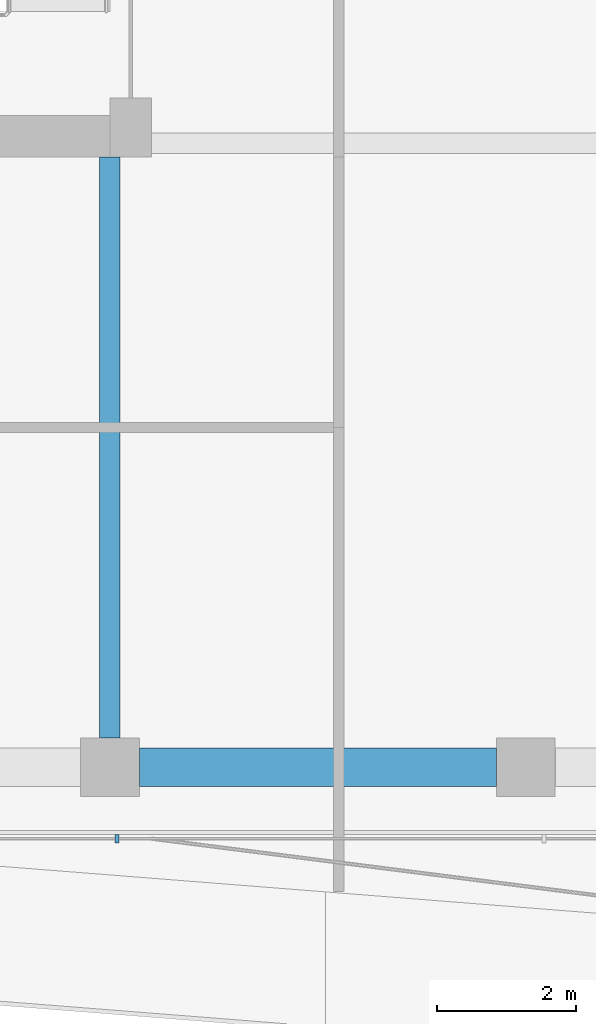
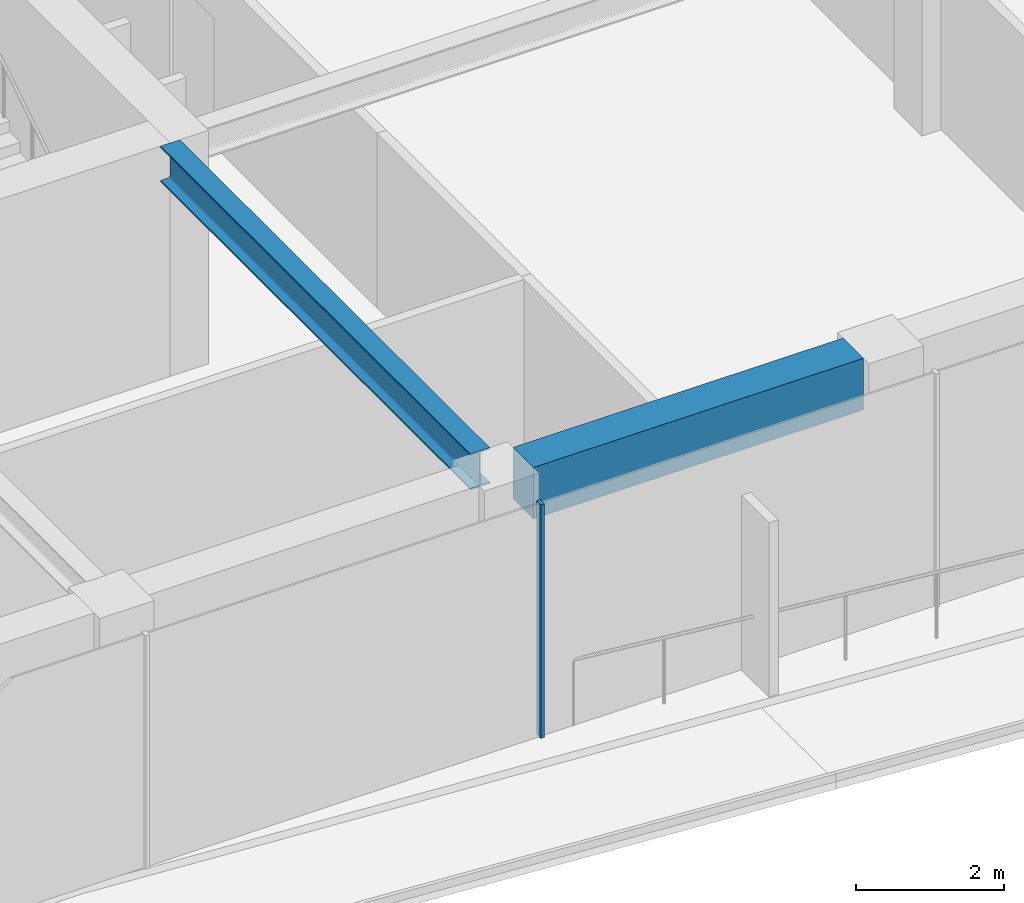
# One storey, part 4 of 22: 2 beams, 1 member, 1 element without a shape of its own.
"""IFC4 building model written with IfcOpenShell, lengths in metres."""

from ifc_helpers import new_model, si_unit, direction, frame, origin, origin_2d, place, context, subcontext, project, spatial, rectangle, i_section, extrude, material, layer, layer_set, material_profile, profile_set, type_object, element, aggregate, save


model = new_model("IFC4")

# Units and contexts
model_context = context("Model", 3, precision=1e-05, world=origin(), true_north=direction((0.0, 1.0)))
body_context = subcontext(model_context, "Body", "Model", "MODEL_VIEW")
ifc_project = project(units=[si_unit("LENGTHUNIT", "METRE"), si_unit("AREAUNIT", "SQUARE_METRE"), si_unit("VOLUMEUNIT", "CUBIC_METRE"), si_unit("PLANEANGLEUNIT", "RADIAN"), si_unit("MASSUNIT", "GRAM", prefix="KILO")], contexts=[model_context])

# Site, building, storey
site_placement = place(None, origin())
site = spatial("IfcSite", under=ifc_project, at=site_placement, CompositionType="ELEMENT")
building_placement = place(site_placement, origin())
building = spatial("IfcBuilding", under=site, at=building_placement, Name="Welwitschia Terrace Campus", CompositionType="ELEMENT")
storey_placement = place(building_placement, frame((0.0, 0.0, 150.800048828125)))
storey = spatial("IfcBuildingStorey", under=building, at=storey_placement, Name="L33", CompositionType="ELEMENT", Elevation=150.800048828125)

# Curtain wall, member
ifc_material_1 = material(Name="Bronze anodised aluminium", Category="aluminium")
ifc_layer = layer(ifc_material_1, 0.1201171875)
ifc_layer_set = layer_set([ifc_layer], Name="Bronze anodised aluminium")
curtain_wall_type = type_object("IfcCurtainWallType", Name="Curtain wall CW2 tower 6000", PredefinedType="NOTDEFINED", material=ifc_layer_set)
curtain_wall_placement = place(storey_placement, origin())
curtain_wall = element("IfcCurtainWall", 1, at=curtain_wall_placement, inside=storey, type_object=curtain_wall_type, Name="CW L33.3.0", PredefinedType="NOTDEFINED")
ifc_material_2 = material(Name="Bronze anodised aluminium", Category="aluminium")
ifc_material_profile_1 = material_profile(ifc_material_2, rectangle(XDim=0.1201171875, YDim=0.06005859375, at=origin_2d()))
ifc_profile_set_1 = profile_set([ifc_material_profile_1], Name="Bronze anodised aluminium")
member_type = type_object("IfcMemberType", Name="Mullion 60x120", PredefinedType="MULLION", material=ifc_profile_set_1)
member_placement = place(storey_placement, frame((24.101806640625, -5.030029296875, 0.0), z_axis=(0.0, 0.0, 1.0), x_axis=(0.0, 1.0, 0.0)))
member = element("IfcMember", 2, at=member_placement, type_object=member_type, Name="Mullion L33.3.0.3", PredefinedType="MULLION", context=body_context, shape_type="SweptSolid", body=[
    extrude(rectangle(XDim=0.1201171875, YDim=0.06005859375, at=origin_2d()), origin(), (0.0, 0.0, 1.0), 3.849853515625),
])
aggregate(curtain_wall, [member])

# Beams
ifc_material_3 = material(Name="Steel S355", Category="steel")
ifc_material_profile_2 = material_profile(ifc_material_3, i_section(OverallWidth=0.300048828125, OverallDepth=0.590087890625, WebThickness=0.012939453125, FlangeThickness=0.02490234375, FilletRadius=0.027099609375, at=origin_2d()))
ifc_profile_set_2 = profile_set([ifc_material_profile_2], Name="Steel S355")
beam_type_1 = type_object("IfcBeamType", Name="Primary beam HE 600 A", PredefinedType="BEAM", material=ifc_profile_set_2)
beam_1_placement = place(storey_placement, frame((24.0, -3.574462890625, 3.554931640625), z_axis=(0.0, 1.0, 0.0), x_axis=(-1.0, 0.0, 0.0)))
element("IfcBeam", 3, at=beam_1_placement, inside=storey, type_object=beam_type_1, Name="Primary beam PB4", PredefinedType="BEAM", context=body_context, shape_type="SweptSolid", body=[
    extrude(i_section(OverallWidth=0.300048828125, OverallDepth=0.590087890625, WebThickness=0.012939453125, FlangeThickness=0.02490234375, FilletRadius=0.027099609375, at=origin_2d()), origin(), (0.0, 0.0, 1.0), 8.37451171875),
])
ifc_material_4 = material(Name="Concrete C50/60", Category="concrete")
ifc_material_profile_3 = material_profile(ifc_material_4, rectangle(XDim=0.550048828125, YDim=0.85009765625, at=origin_2d()))
ifc_profile_set_3 = profile_set([ifc_material_profile_3], Name="Concrete C50/60")
beam_type_2 = type_object("IfcBeamType", Name="Ring spandrel 550x850", PredefinedType="SPANDREL", material=ifc_profile_set_3)
beam_2_placement = place(storey_placement, frame((24.425537109375, -4.0, 3.425048828125), z_axis=(1.0, 0.0, 0.0), x_axis=(0.0, 1.0, 0.0)))
element("IfcBeam", 4, at=beam_2_placement, inside=storey, type_object=beam_type_2, Name="Spandrel SP3", PredefinedType="SPANDREL", context=body_context, shape_type="SweptSolid", body=[
    extrude(rectangle(XDim=0.550048828125, YDim=0.85009765625, at=origin_2d()), origin(), (0.0, 0.0, 1.0), 5.14892578125),
])

save(model, "model.ifc")
